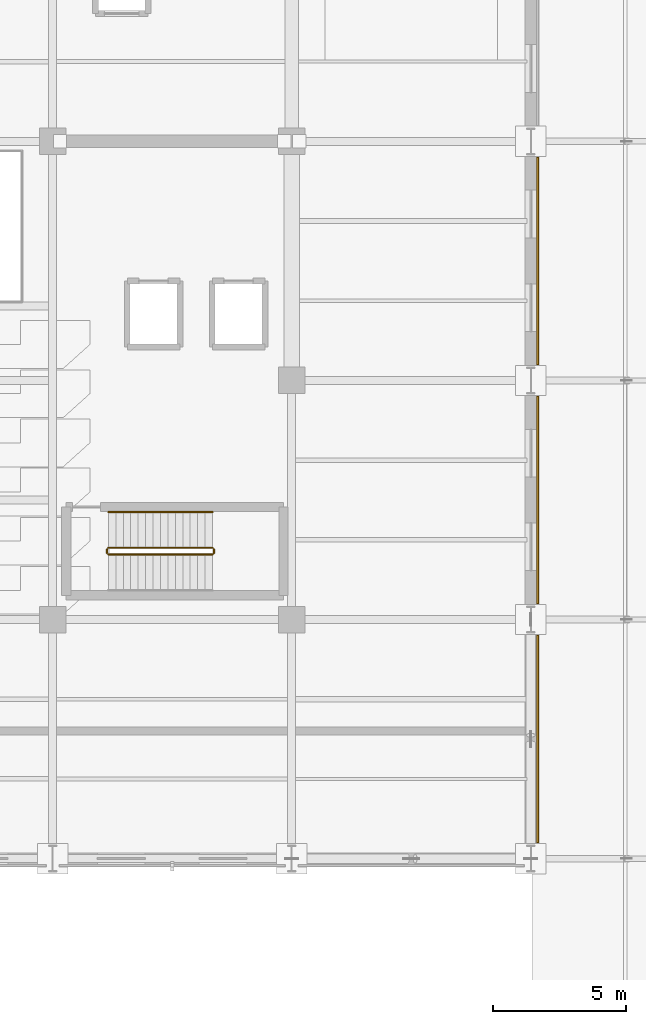
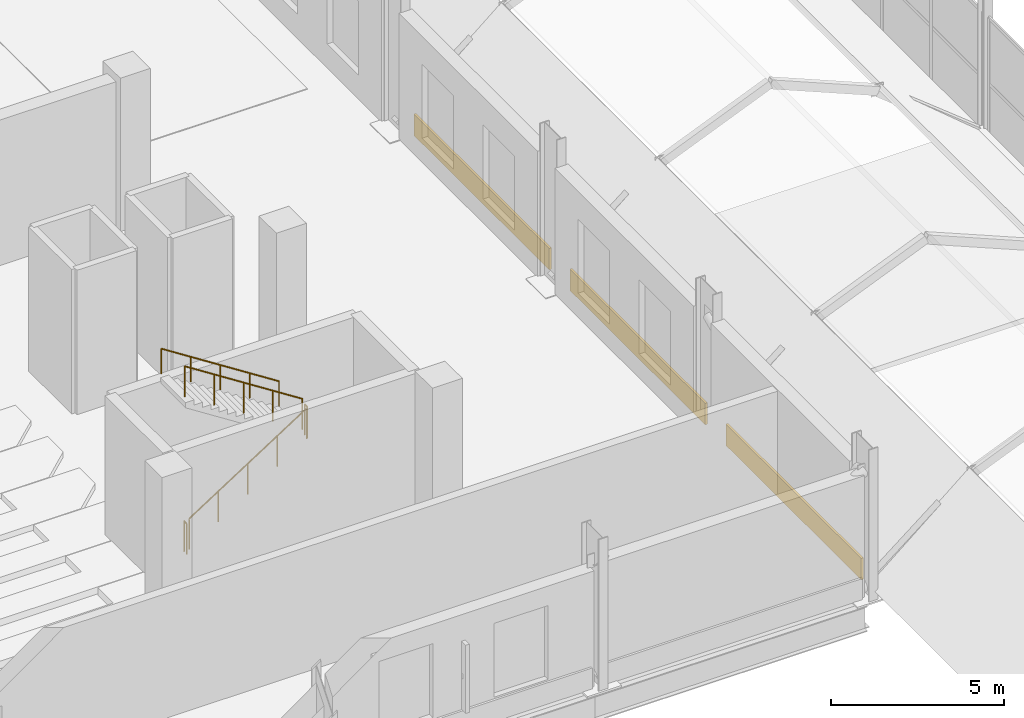
# One storey, part 132 of 141: 5 railings, 3 coverings.
"""IFC4 building model written with IfcOpenShell, lengths in metres."""

from ifc_helpers import new_model, si_unit, direction, frame, origin, origin_2d, place, context, subcontext, project, spatial, rectangle, circle, extrude, material, layer, layer_set, type_object, element, save


model = new_model("IFC4")

# Units and contexts
model_context = context("Model", 3, precision=1e-05, world=origin(), true_north=direction((0.0, 1.0)))
body_context = subcontext(model_context, "Body", "Model", "MODEL_VIEW")
ifc_project = project(units=[si_unit("LENGTHUNIT", "METRE"), si_unit("AREAUNIT", "SQUARE_METRE"), si_unit("VOLUMEUNIT", "CUBIC_METRE"), si_unit("PLANEANGLEUNIT", "RADIAN"), si_unit("MASSUNIT", "GRAM", prefix="KILO")], contexts=[model_context])

# Site, building, storey
site_placement = place(None, origin())
site = spatial("IfcSite", under=ifc_project, at=site_placement, CompositionType="ELEMENT")
building_placement = place(site_placement, origin())
building = spatial("IfcBuilding", under=site, at=building_placement, Name="Sundgate Opera House", CompositionType="ELEMENT")
storey_placement = place(building_placement, frame((0.0, 0.0, 11.39990234375)))
storey = spatial("IfcBuildingStorey", under=building, at=storey_placement, Name="L02", CompositionType="ELEMENT", Elevation=11.39990234375)

# Coverings
ifc_material_1 = material(Name="Deep-carved Komstad limestone relief panel", Category="masonry")
ifc_layer_1 = layer(ifc_material_1, 0.094970703125)
ifc_layer_set_1 = layer_set([ifc_layer_1], Name="Deep-carved Komstad limestone relief panel")
covering_type_1 = type_object("IfcCoveringType", Name="CV-TRENC-DEEP", PredefinedType="CLADDING", material=ifc_layer_set_1)
covering_1_placement = place(storey_placement, frame((81.257568359375, 46.5, 0.045166015625), z_axis=(0.0, 0.0, 1.0), x_axis=(0.0, 1.0, 0.0)))
element("IfcCovering", 1, at=covering_1_placement, inside=storey, type_object=covering_type_1, Name="L02 Trencadis 750mm Relief Band CV0016", PredefinedType="CLADDING", context=body_context, shape_type="SweptSolid", body=[
    extrude(rectangle(XDim=7.81005859375, YDim=0.074951171875, at=origin_2d()), origin(), (0.0, 0.0, 1.0), 0.75),
])
ifc_material_2 = material(Name="Frost-proof vitrified stoneware trencadis relief tile", Category="masonry")
ifc_layer_2 = layer(ifc_material_2, 0.074951171875)
ifc_layer_set_2 = layer_set([ifc_layer_2], Name="Frost-proof vitrified stoneware trencadis relief tile")
covering_type_2 = type_object("IfcCoveringType", Name="CV-TRENC-RELIEF", PredefinedType="CLADDING", material=ifc_layer_set_2)
covering_2_placement = place(storey_placement, frame((81.257568359375, 37.5, 0.045166015625), z_axis=(0.0, 0.0, 1.0), x_axis=(0.0, 1.0, 0.0)))
element("IfcCovering", 2, at=covering_2_placement, inside=storey, type_object=covering_type_2, Name="L02 Trencadis 750mm Relief Band CV0014", PredefinedType="CLADDING", context=body_context, shape_type="SweptSolid", body=[
    extrude(rectangle(XDim=7.81005859375, YDim=0.074951171875, at=origin_2d()), origin(), (0.0, 0.0, 1.0), 0.75),
])
ifc_material_3 = material(Name="Polychrome trencadis mosaic panel", Category="masonry")
ifc_layer_3 = layer(ifc_material_3, 0.054931640625)
ifc_layer_set_3 = layer_set([ifc_layer_3], Name="Polychrome trencadis mosaic panel")
covering_type_3 = type_object("IfcCoveringType", Name="CV-TRENC-SLIM", PredefinedType="CLADDING", material=ifc_layer_set_3)
covering_3_placement = place(storey_placement, frame((81.257568359375, 55.5, 0.045166015625), z_axis=(0.0, 0.0, 1.0), x_axis=(0.0, 1.0, 0.0)))
element("IfcCovering", 3, at=covering_3_placement, inside=storey, type_object=covering_type_3, Name="L02 Trencadis 750mm Relief Band CV0018", PredefinedType="CLADDING", context=body_context, shape_type="SweptSolid", body=[
    extrude(rectangle(XDim=7.81005859375, YDim=0.074951171875, at=origin_2d()), origin(), (0.0, 0.0, 1.0), 0.75),
])

# Railings
ifc_material_4 = material(Name="Painted steel S275 guardrail", Category="steel")
railing_type_1 = type_object("IfcRailingType", Name="RL-STAIR-GUARD-1100", PredefinedType="GUARDRAIL", material=ifc_material_4)
railing_1_placement = place(storey_placement, frame((65.10009765625, 44.449951171875, 0.18017578125)))
element("IfcRailing", 4, at=railing_1_placement, inside=storey, type_object=railing_type_1, Name="ST03L02 Guardrail RL0108", PredefinedType="GUARDRAIL", context=body_context, shape_type="SweptSolid", body=[
    extrude(circle(Radius=0.02392578125, at=origin_2d()), frame((0.0, 0.0, 1.076171875), z_axis=(0.841171666519, 0.0, 0.540768182723), x_axis=(0.0, 1.0, 0.0)), (0.0, 0.0, 1.0), 4.66015625),
    extrude(circle(Radius=0.02099609375, at=origin_2d()), origin(), (0.0, 0.0, 1.0), 1.052001953125),
    extrude(circle(Radius=0.02099609375, at=origin_2d()), frame((0.97998046875, 0.0, 0.6298828125)), (0.0, 0.0, 1.0), 1.052001953125),
    extrude(circle(Radius=0.02099609375, at=origin_2d()), frame((1.9599609375, 0.0, 1.260009765625)), (0.0, 0.0, 1.0), 1.052001953125),
    extrude(circle(Radius=0.02099609375, at=origin_2d()), frame((2.93994140625, 0.0, 1.89013671875)), (0.0, 0.0, 1.0), 1.052001953125),
    extrude(circle(Radius=0.02099609375, at=origin_2d()), frame((3.919921875, 0.0, 2.52001953125)), (0.0, 0.0, 1.0), 1.052001953125),
])
railing_2_placement = place(storey_placement, frame((69.070068359375, 44.5, 2.7001953125)))
element("IfcRailing", 5, at=railing_2_placement, inside=storey, type_object=railing_type_1, Name="ST03L02 Guardrail RL0109", PredefinedType="GUARDRAIL", context=body_context, shape_type="SweptSolid", body=[
    extrude(circle(Radius=0.02392578125, at=origin_2d()), frame((0.0, 0.0, 1.076171875), z_axis=(0.0, 1.0, 0.0), x_axis=(-1.0, 0.0, 0.0)), (0.0, 0.0, 1.0), 0.14990234375),
    extrude(circle(Radius=0.02099609375, at=origin_2d()), origin(), (0.0, 0.0, 1.0), 1.052001953125),
    extrude(circle(Radius=0.02099609375, at=origin_2d()), frame((0.0, 0.14990234375, 0.0)), (0.0, 0.0, 1.0), 1.052001953125),
])
railing_3_placement = place(storey_placement, frame((69.02001953125, 44.699951171875, 2.880126953125)))
element("IfcRailing", 6, at=railing_3_placement, inside=storey, type_object=railing_type_1, Name="ST03L02 Guardrail RL0110", PredefinedType="GUARDRAIL", context=body_context, shape_type="SweptSolid", body=[
    extrude(circle(Radius=0.02392578125, at=origin_2d()), frame((0.0, 0.0, 1.076171875), z_axis=(-0.841171666519, 0.0, 0.540768182723), x_axis=(0.0, -1.0, 0.0)), (0.0, 0.0, 1.0), 4.66015625),
    extrude(circle(Radius=0.02099609375, at=origin_2d()), origin(), (0.0, 0.0, 1.0), 1.052001953125),
    extrude(circle(Radius=0.02099609375, at=origin_2d()), frame((-0.97998046875, 0.0, 0.6298828125)), (0.0, 0.0, 1.0), 1.052001953125),
    extrude(circle(Radius=0.02099609375, at=origin_2d()), frame((-1.9599609375, 0.0, 1.260009765625)), (0.0, 0.0, 1.0), 1.052001953125),
    extrude(circle(Radius=0.02099609375, at=origin_2d()), frame((-2.93994140625, 0.0, 1.89013671875)), (0.0, 0.0, 1.0), 1.052001953125),
    extrude(circle(Radius=0.02099609375, at=origin_2d()), frame((-3.919921875, 0.0, 2.52001953125)), (0.0, 0.0, 1.0), 1.052001953125),
])
railing_4_placement = place(storey_placement, frame((65.050048828125, 44.5, 0.0)))
element("IfcRailing", 7, at=railing_4_placement, inside=storey, type_object=railing_type_1, Name="ST03L02 Guardrail RL0111", PredefinedType="GUARDRAIL", context=body_context, shape_type="SweptSolid", body=[
    extrude(circle(Radius=0.02392578125, at=origin_2d()), frame((0.0, 0.0, 1.076171875), z_axis=(0.0, 1.0, 0.0), x_axis=(-1.0, 0.0, 0.0)), (0.0, 0.0, 1.0), 0.14990234375),
    extrude(circle(Radius=0.02099609375, at=origin_2d()), origin(), (0.0, 0.0, 1.0), 1.052001953125),
    extrude(circle(Radius=0.02099609375, at=origin_2d()), frame((0.0, 0.14990234375, 0.0)), (0.0, 0.0, 1.0), 1.052001953125),
])
ifc_material_5 = material(Name="Brushed stainless steel handrail", Category="steel")
railing_type_2 = type_object("IfcRailingType", Name="RL-STAIR-HAND-900", PredefinedType="HANDRAIL", material=ifc_material_5)
railing_5_placement = place(storey_placement, frame((69.02001953125, 46.050048828125, 2.880126953125)))
element("IfcRailing", 8, at=railing_5_placement, inside=storey, type_object=railing_type_2, Name="ST03L02 Handrail RL0113", PredefinedType="HANDRAIL", context=body_context, shape_type="SweptSolid", body=[
    extrude(circle(Radius=0.02392578125, at=origin_2d()), frame((0.0, 0.0, 0.8759765625), z_axis=(-0.841171666519, 0.0, 0.540768182723), x_axis=(0.0, -1.0, 0.0)), (0.0, 0.0, 1.0), 4.66015625),
    extrude(circle(Radius=0.02099609375, at=origin_2d()), origin(), (0.0, 0.0, 1.0), 0.851806640625),
    extrude(circle(Radius=0.02099609375, at=origin_2d()), frame((-0.97998046875, 0.0, 0.6298828125)), (0.0, 0.0, 1.0), 0.851806640625),
    extrude(circle(Radius=0.02099609375, at=origin_2d()), frame((-1.9599609375, 0.0, 1.260009765625)), (0.0, 0.0, 1.0), 0.851806640625),
    extrude(circle(Radius=0.02099609375, at=origin_2d()), frame((-2.93994140625, 0.0, 1.89013671875)), (0.0, 0.0, 1.0), 0.851806640625),
    extrude(circle(Radius=0.02099609375, at=origin_2d()), frame((-3.919921875, 0.0, 2.52001953125)), (0.0, 0.0, 1.0), 0.851806640625),
])

save(model, "model.ifc")
